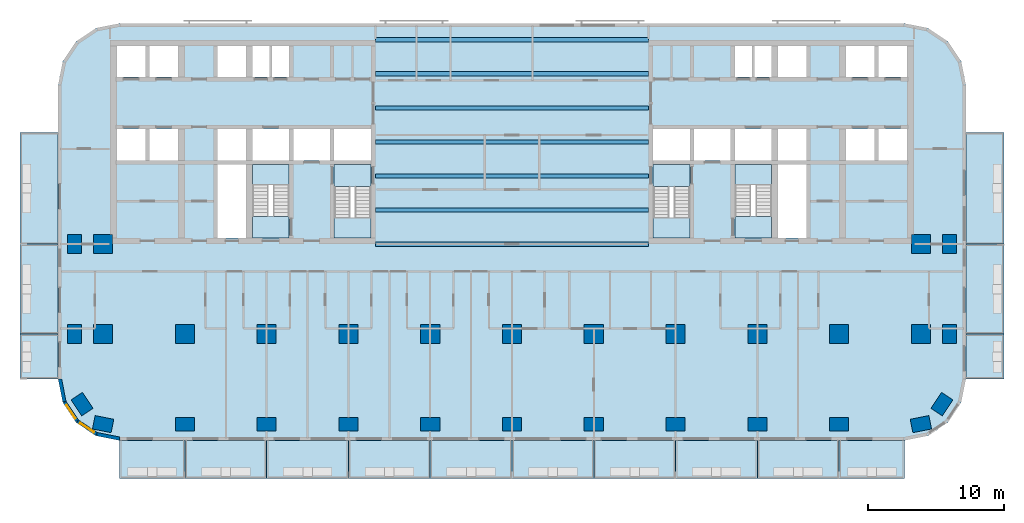
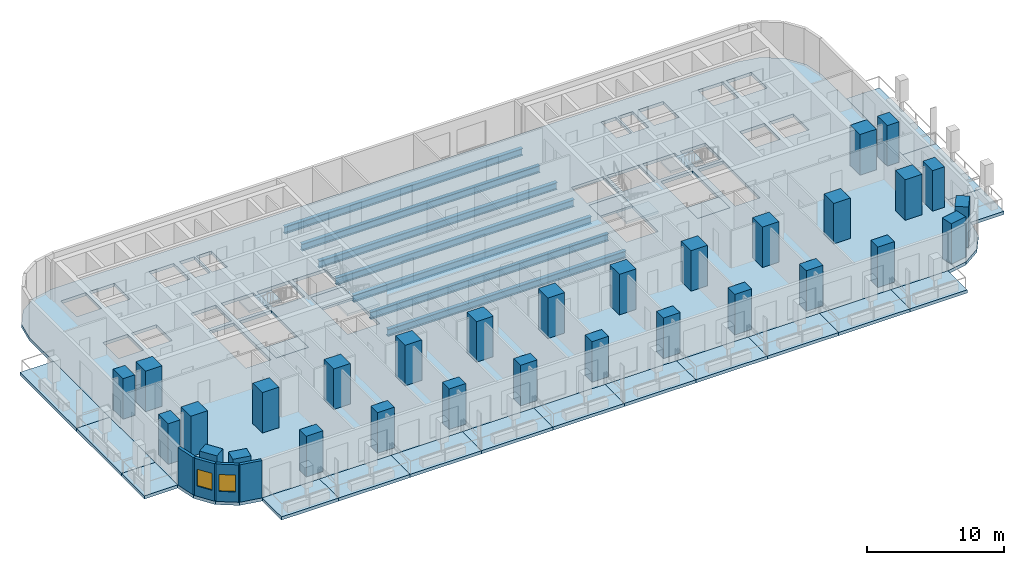
# One storey, part 1 of 14: 30 columns, 25 slabs, 7 beams, 4 walls, 2 windows, 2 openings, 4 elements without a shape of their own.
"""IFC4 building model written with IfcOpenShell, lengths in metres."""

from ifc_helpers import new_model, si_unit, direction, frame, frame_2d, origin, origin_2d, place, context, subcontext, project, spatial, polyline, rectangle, i_section, outline, extrude, material, layer, layer_set, material_profile, profile_set, type_object, element, fill, aggregate, save


model = new_model("IFC4")

# Units and contexts
model_context = context("Model", 3, precision=1e-05, world=origin(), true_north=direction((0.0, 1.0)))
body_context = subcontext(model_context, "Body", "Model", "MODEL_VIEW")
ifc_project = project(units=[si_unit("LENGTHUNIT", "METRE"), si_unit("AREAUNIT", "SQUARE_METRE"), si_unit("VOLUMEUNIT", "CUBIC_METRE"), si_unit("PLANEANGLEUNIT", "RADIAN"), si_unit("MASSUNIT", "GRAM", prefix="KILO")], contexts=[model_context])

# Site, building, storey
site_placement = place(None, origin())
site = spatial("IfcSite", under=ifc_project, at=site_placement, CompositionType="ELEMENT")
building_placement = place(site_placement, origin())
building = spatial("IfcBuilding", under=site, at=building_placement, Name="Torana Hotel and Residences", CompositionType="ELEMENT")
storey_placement = place(building_placement, frame((0.0, 0.0, 63.60009765625)))
storey = spatial("IfcBuildingStorey", under=building, at=storey_placement, Name="L15", CompositionType="ELEMENT", Elevation=63.60009765625)

# Columns
ifc_material_1 = material(Name="Concrete C70/85", Category="concrete")
ifc_material_profile_1 = material_profile(ifc_material_1, rectangle(XDim=1.39990234375, YDim=1.0, at=origin_2d()), Name="RC 1400x1000")
ifc_profile_set_1 = profile_set([ifc_material_profile_1], Name="Concrete C70/85")
column_type_1 = type_object("IfcColumnType", Name="COLUMN RC 1400x1000 C70/85", PredefinedType="COLUMN", material=ifc_profile_set_1)
for number, where, z_axis, x_axis, name in (
    (1, (-32.10009765625, -21.60009765625, 0.0), (0.0, 0.0, 1.0), (0.0, 1.0, 0.0), "Column L15"),
    (2, (-32.10009765625, -15.0, 0.0), (0.0, 0.0, 1.0), (0.0, 1.0, 0.0), "Column L15"),
    (3, (-31.5439453125, -26.73291015625, 0.0), (0.0, 0.0, 1.0), (-0.555584744817, 0.831459915646, 0.0), "Column L15"),
    (4, (-30.0, -28.199951171875, 0.0), (0.0, 0.0, 1.0), (-0.980792089743, 0.195056086032, 0.0), "Column L15"),
    (5, (-24.0, -28.199951171875, 0.0), (0.0, 0.0, 1.0), (1.0, 0.0, 0.0), "Column L15"),
    (6, (-18.0, -28.199951171875, 0.0), (0.0, 0.0, 1.0), (1.0, 0.0, 0.0), "Column L15"),
    (7, (-12.0, -28.199951171875, 0.0), (0.0, 0.0, 1.0), (1.0, 0.0, 0.0), "Column L15"),
    (8, (-6.0, -28.199951171875, 0.0), (0.0, 0.0, 1.0), (1.0, 0.0, 0.0), "Column L15"),
    (9, (0.0, -28.199951171875, 0.0), (0.0, 0.0, 1.0), (1.0, 0.0, 0.0), "Column L15"),
    (10, (6.0, -28.199951171875, 0.0), (0.0, 0.0, 1.0), (1.0, 0.0, 0.0), "Column L15"),
    (11, (12.0, -28.199951171875, 0.0), (0.0, 0.0, 1.0), (1.0, 0.0, 0.0), "Column L15"),
    (12, (18.0, -28.199951171875, 0.0), (0.0, 0.0, 1.0), (1.0, 0.0, 0.0), "Column L15"),
    (13, (24.0, -28.199951171875, 0.0), (0.0, 0.0, 1.0), (1.0, 0.0, 0.0), "Column L15"),
    (14, (30.0, -28.199951171875, 0.0), (0.0, 0.0, 1.0), (0.980792089743, 0.195056086032, 0.0), "Column L15"),
    (15, (31.5439453125, -26.73291015625, 0.0), (0.0, 0.0, 1.0), (0.555584744817, 0.831459915646, 0.0), "Column L15"),
    (16, (32.10009765625, -21.60009765625, 0.0), (0.0, 0.0, 1.0), (0.0, 1.0, 0.0), "Column L15"),
    (17, (32.10009765625, -15.0, 0.0), (0.0, 0.0, 1.0), (0.0, 1.0, 0.0), "Column L15"),
):
    element("IfcColumn", number, at=place(storey_placement, frame(where, z_axis=z_axis, x_axis=x_axis)), inside=storey, type_object=column_type_1, Name=name, PredefinedType="COLUMN", context=body_context, shape_type="SweptSolid", body=[
        extrude(rectangle(XDim=1.39990234375, YDim=1.0, at=origin_2d()), origin(), (0.0, 0.0, 1.0), 3.599853515625),
    ])
ifc_material_2 = material(Name="Concrete C70/85", Category="concrete")
ifc_material_profile_2 = material_profile(ifc_material_2, rectangle(XDim=1.39990234375, YDim=1.39990234375, at=origin_2d()), Name="RC 1400x1400")
ifc_profile_set_2 = profile_set([ifc_material_profile_2], Name="Concrete C70/85")
column_type_2 = type_object("IfcColumnType", Name="COLUMN RC 1400x1400 C70/85", PredefinedType="COLUMN", material=ifc_profile_set_2)
for number, where, z_axis, x_axis, name in (
    (18, (-30.0, -21.60009765625, 0.0), (0.0, 0.0, 1.0), (1.0, 0.0, 0.0), "Column L15"),
    (19, (-30.0, -15.0, 0.0), (0.0, 0.0, 1.0), (1.0, 0.0, 0.0), "Column L15"),
    (20, (-24.0, -21.60009765625, 0.0), (0.0, 0.0, 1.0), (1.0, 0.0, 0.0), "Column L15"),
    (21, (-18.0, -21.60009765625, 0.0), (0.0, 0.0, 1.0), (1.0, 0.0, 0.0), "Column L15"),
    (22, (-12.0, -21.60009765625, 0.0), (0.0, 0.0, 1.0), (1.0, 0.0, 0.0), "Column L15"),
    (23, (-6.0, -21.60009765625, 0.0), (0.0, 0.0, 1.0), (1.0, 0.0, 0.0), "Column L15"),
    (24, (0.0, -21.60009765625, 0.0), (0.0, 0.0, 1.0), (1.0, 0.0, 0.0), "Column L15"),
    (25, (6.0, -21.60009765625, 0.0), (0.0, 0.0, 1.0), (1.0, 0.0, 0.0), "Column L15"),
    (26, (12.0, -21.60009765625, 0.0), (0.0, 0.0, 1.0), (1.0, 0.0, 0.0), "Column L15"),
    (27, (18.0, -21.60009765625, 0.0), (0.0, 0.0, 1.0), (1.0, 0.0, 0.0), "Column L15"),
    (28, (24.0, -21.60009765625, 0.0), (0.0, 0.0, 1.0), (1.0, 0.0, 0.0), "Column L15"),
    (29, (30.0, -21.60009765625, 0.0), (0.0, 0.0, 1.0), (1.0, 0.0, 0.0), "Column L15"),
    (30, (30.0, -15.0, 0.0), (0.0, 0.0, 1.0), (1.0, 0.0, 0.0), "Column L15"),
):
    element("IfcColumn", number, at=place(storey_placement, frame(where, z_axis=z_axis, x_axis=x_axis)), inside=storey, type_object=column_type_2, Name=name, PredefinedType="COLUMN", context=body_context, shape_type="SweptSolid", body=[
        extrude(rectangle(XDim=1.39990234375, YDim=1.39990234375, at=origin_2d()), origin(), (0.0, 0.0, 1.0), 3.599853515625),
    ])

# Beams
ifc_material_3 = material(Name="Steel S355", Category="steel")
ifc_material_profile_3 = material_profile(ifc_material_3, i_section(OverallWidth=0.311279296875, OverallDepth=0.6357421875, WebThickness=0.018310546875, FlangeThickness=0.031494140625, FilletRadius=0.0166015625, at=origin_2d()), Name="610x305x238 UB")
ifc_profile_set_3 = profile_set([ifc_material_profile_3], Name="Steel S355")
beam_type = type_object("IfcBeamType", Name="STEEL GIRDER 610x305x238 UB", PredefinedType="BEAM", material=ifc_profile_set_3)
for number, where, z_axis, x_axis, name in (
    (31, (-10.0, -15.0, -0.597900390625), (1.0, 0.0, 0.0), (0.0, 1.0, 0.0), "Floor girder"),
    (32, (-10.0, -12.5, -0.597900390625), (1.0, 0.0, 0.0), (0.0, 1.0, 0.0), "Floor girder"),
    (33, (-10.0, -10.0, -0.597900390625), (1.0, 0.0, 0.0), (0.0, 1.0, 0.0), "Floor girder"),
    (34, (-10.0, -7.5, -0.597900390625), (1.0, 0.0, 0.0), (0.0, 1.0, 0.0), "Floor girder"),
    (35, (-10.0, -5.0, -0.597900390625), (1.0, 0.0, 0.0), (0.0, 1.0, 0.0), "Floor girder"),
    (36, (-10.0, -2.5, -0.597900390625), (1.0, 0.0, 0.0), (0.0, 1.0, 0.0), "Floor girder"),
    (37, (-10.0, 0.0, -0.597900390625), (1.0, 0.0, 0.0), (0.0, 1.0, 0.0), "Floor girder"),
):
    element("IfcBeam", number, at=place(storey_placement, frame(where, z_axis=z_axis, x_axis=x_axis)), inside=storey, type_object=beam_type, Name=name, PredefinedType="BEAM", context=body_context, shape_type="SweptSolid", body=[
        extrude(i_section(OverallWidth=0.311279296875, OverallDepth=0.6357421875, WebThickness=0.018310546875, FlangeThickness=0.031494140625, FilletRadius=0.0166015625, at=origin_2d()), origin(), (0.0, 0.0, 1.0), 20.0),
    ])

# Slabs
ifc_material_4 = material(Name="Concrete C40/50", Category="concrete")
ifc_layer_1 = layer(ifc_material_4, 0.280029296875)
ifc_layer_set_1 = layer_set([ifc_layer_1], Name="BAL1 BALCONY SLAB 280")
slab_type_1 = type_object("IfcSlabType", Name="BAL1 BALCONY SLAB 280", PredefinedType="USERDEFINED", material=ifc_layer_set_1)
slab_1_placement = place(storey_placement, frame((0.0, 0.0, -0.280029296875)))
element("IfcSlab", 38, at=slab_1_placement, inside=storey, type_object=slab_type_1, Name="Balcony 01", ObjectType="BALCONY", PredefinedType="USERDEFINED", context=body_context, shape_type="SweptSolid", body=[
    extrude(outline(polyline([(-28.800048828125, -32.199951171875), (-24.0, -32.199951171875), (-24.0, -29.39990234375), (-28.800048828125, -29.39990234375), (-28.800048828125, -32.199951171875)])), origin(), (0.0, 0.0, 1.0), 0.280029296875),
])
slab_2_placement = place(storey_placement, frame((0.0, 0.0, -0.280029296875)))
element("IfcSlab", 39, at=slab_2_placement, inside=storey, type_object=slab_type_1, Name="Balcony 02", ObjectType="BALCONY", PredefinedType="USERDEFINED", context=body_context, shape_type="SweptSolid", body=[
    extrude(outline(polyline([(-24.0, -32.199951171875), (-18.0, -32.199951171875), (-18.0, -29.39990234375), (-24.0, -29.39990234375), (-24.0, -32.199951171875)])), origin(), (0.0, 0.0, 1.0), 0.280029296875),
])
slab_3_placement = place(storey_placement, frame((0.0, 0.0, -0.280029296875)))
element("IfcSlab", 40, at=slab_3_placement, inside=storey, type_object=slab_type_1, Name="Balcony 03", ObjectType="BALCONY", PredefinedType="USERDEFINED", context=body_context, shape_type="SweptSolid", body=[
    extrude(outline(polyline([(-18.0, -32.199951171875), (-12.0, -32.199951171875), (-12.0, -29.39990234375), (-18.0, -29.39990234375), (-18.0, -32.199951171875)])), origin(), (0.0, 0.0, 1.0), 0.280029296875),
])
slab_4_placement = place(storey_placement, frame((0.0, 0.0, -0.280029296875)))
element("IfcSlab", 41, at=slab_4_placement, inside=storey, type_object=slab_type_1, Name="Balcony 04", ObjectType="BALCONY", PredefinedType="USERDEFINED", context=body_context, shape_type="SweptSolid", body=[
    extrude(outline(polyline([(-12.0, -32.199951171875), (-6.0, -32.199951171875), (-6.0, -29.39990234375), (-12.0, -29.39990234375), (-12.0, -32.199951171875)])), origin(), (0.0, 0.0, 1.0), 0.280029296875),
])
slab_5_placement = place(storey_placement, frame((0.0, 0.0, -0.280029296875)))
element("IfcSlab", 42, at=slab_5_placement, inside=storey, type_object=slab_type_1, Name="Balcony 05", ObjectType="BALCONY", PredefinedType="USERDEFINED", context=body_context, shape_type="SweptSolid", body=[
    extrude(outline(polyline([(-6.0, -32.199951171875), (0.0, -32.199951171875), (0.0, -29.39990234375), (-6.0, -29.39990234375), (-6.0, -32.199951171875)])), origin(), (0.0, 0.0, 1.0), 0.280029296875),
])
slab_6_placement = place(storey_placement, frame((0.0, 0.0, -0.280029296875)))
element("IfcSlab", 43, at=slab_6_placement, inside=storey, type_object=slab_type_1, Name="Balcony 06", ObjectType="BALCONY", PredefinedType="USERDEFINED", context=body_context, shape_type="SweptSolid", body=[
    extrude(outline(polyline([(0.0, -32.199951171875), (6.0, -32.199951171875), (6.0, -29.39990234375), (0.0, -29.39990234375), (0.0, -32.199951171875)])), origin(), (0.0, 0.0, 1.0), 0.280029296875),
])
slab_7_placement = place(storey_placement, frame((0.0, 0.0, -0.280029296875)))
element("IfcSlab", 44, at=slab_7_placement, inside=storey, type_object=slab_type_1, Name="Balcony 07", ObjectType="BALCONY", PredefinedType="USERDEFINED", context=body_context, shape_type="SweptSolid", body=[
    extrude(outline(polyline([(6.0, -32.199951171875), (12.0, -32.199951171875), (12.0, -29.39990234375), (6.0, -29.39990234375), (6.0, -32.199951171875)])), origin(), (0.0, 0.0, 1.0), 0.280029296875),
])
slab_8_placement = place(storey_placement, frame((0.0, 0.0, -0.280029296875)))
element("IfcSlab", 45, at=slab_8_placement, inside=storey, type_object=slab_type_1, Name="Balcony 08", ObjectType="BALCONY", PredefinedType="USERDEFINED", context=body_context, shape_type="SweptSolid", body=[
    extrude(outline(polyline([(12.0, -32.199951171875), (18.0, -32.199951171875), (18.0, -29.39990234375), (12.0, -29.39990234375), (12.0, -32.199951171875)])), origin(), (0.0, 0.0, 1.0), 0.280029296875),
])
slab_9_placement = place(storey_placement, frame((0.0, 0.0, -0.280029296875)))
element("IfcSlab", 46, at=slab_9_placement, inside=storey, type_object=slab_type_1, Name="Balcony 09", ObjectType="BALCONY", PredefinedType="USERDEFINED", context=body_context, shape_type="SweptSolid", body=[
    extrude(outline(polyline([(18.0, -32.199951171875), (24.0, -32.199951171875), (24.0, -29.39990234375), (18.0, -29.39990234375), (18.0, -32.199951171875)])), origin(), (0.0, 0.0, 1.0), 0.280029296875),
])
slab_10_placement = place(storey_placement, frame((0.0, 0.0, -0.280029296875)))
element("IfcSlab", 47, at=slab_10_placement, inside=storey, type_object=slab_type_1, Name="Balcony 10", ObjectType="BALCONY", PredefinedType="USERDEFINED", context=body_context, shape_type="SweptSolid", body=[
    extrude(outline(polyline([(24.0, -32.199951171875), (28.800048828125, -32.199951171875), (28.800048828125, -29.39990234375), (24.0, -29.39990234375), (24.0, -32.199951171875)])), origin(), (0.0, 0.0, 1.0), 0.280029296875),
])
slab_11_placement = place(storey_placement, frame((0.0, 0.0, -0.280029296875)))
element("IfcSlab", 48, at=slab_11_placement, inside=storey, type_object=slab_type_1, Name="Balcony 11", ObjectType="BALCONY", PredefinedType="USERDEFINED", context=body_context, shape_type="SweptSolid", body=[
    extrude(outline(polyline([(-36.10009765625, -24.89990234375), (-33.300048828125, -24.89990234375), (-33.300048828125, -21.60009765625), (-36.10009765625, -21.60009765625), (-36.10009765625, -24.89990234375)])), origin(), (0.0, 0.0, 1.0), 0.280029296875),
])
slab_12_placement = place(storey_placement, frame((0.0, 0.0, -0.280029296875)))
element("IfcSlab", 49, at=slab_12_placement, inside=storey, type_object=slab_type_1, Name="Balcony 12", ObjectType="BALCONY", PredefinedType="USERDEFINED", context=body_context, shape_type="SweptSolid", body=[
    extrude(outline(polyline([(-36.10009765625, -21.60009765625), (-33.300048828125, -21.60009765625), (-33.300048828125, -15.0), (-36.10009765625, -15.0), (-36.10009765625, -21.60009765625)])), origin(), (0.0, 0.0, 1.0), 0.280029296875),
])
slab_13_placement = place(storey_placement, frame((0.0, 0.0, -0.280029296875)))
element("IfcSlab", 50, at=slab_13_placement, inside=storey, type_object=slab_type_1, Name="Balcony 13", ObjectType="BALCONY", PredefinedType="USERDEFINED", context=body_context, shape_type="SweptSolid", body=[
    extrude(outline(polyline([(-36.10009765625, -15.0), (-33.300048828125, -15.0), (-33.300048828125, -6.800048828125), (-36.10009765625, -6.800048828125), (-36.10009765625, -15.0)])), origin(), (0.0, 0.0, 1.0), 0.280029296875),
])
slab_14_placement = place(storey_placement, frame((0.0, 0.0, -0.280029296875)))
element("IfcSlab", 51, at=slab_14_placement, inside=storey, type_object=slab_type_1, Name="Balcony 14", ObjectType="BALCONY", PredefinedType="USERDEFINED", context=body_context, shape_type="SweptSolid", body=[
    extrude(outline(polyline([(33.300048828125, -24.89990234375), (36.10009765625, -24.89990234375), (36.10009765625, -21.60009765625), (33.300048828125, -21.60009765625), (33.300048828125, -24.89990234375)])), origin(), (0.0, 0.0, 1.0), 0.280029296875),
])
slab_15_placement = place(storey_placement, frame((0.0, 0.0, -0.280029296875)))
element("IfcSlab", 52, at=slab_15_placement, inside=storey, type_object=slab_type_1, Name="Balcony 15", ObjectType="BALCONY", PredefinedType="USERDEFINED", context=body_context, shape_type="SweptSolid", body=[
    extrude(outline(polyline([(33.300048828125, -21.60009765625), (36.10009765625, -21.60009765625), (36.10009765625, -15.0), (33.300048828125, -15.0), (33.300048828125, -21.60009765625)])), origin(), (0.0, 0.0, 1.0), 0.280029296875),
])
slab_16_placement = place(storey_placement, frame((0.0, 0.0, -0.280029296875)))
element("IfcSlab", 53, at=slab_16_placement, inside=storey, type_object=slab_type_1, Name="Balcony 16", ObjectType="BALCONY", PredefinedType="USERDEFINED", context=body_context, shape_type="SweptSolid", body=[
    extrude(outline(polyline([(33.300048828125, -15.0), (36.10009765625, -15.0), (36.10009765625, -6.800048828125), (33.300048828125, -6.800048828125), (33.300048828125, -15.0)])), origin(), (0.0, 0.0, 1.0), 0.280029296875),
])
ifc_material_5 = material(Name="Concrete C40/50", Category="concrete")
ifc_layer_2 = layer(ifc_material_5, 0.280029296875)
ifc_layer_set_2 = layer_set([ifc_layer_2], Name="FLOOR SLAB PT 280")
slab_type_2 = type_object("IfcSlabType", Name="FLOOR SLAB PT 280", PredefinedType="FLOOR", material=ifc_layer_set_2)
slab_17_placement = place(storey_placement, frame((0.0, 0.0, -0.280029296875)))
element("IfcSlab", 54, at=slab_17_placement, inside=storey, type_object=slab_type_2, Name="Floor slab", PredefinedType="FLOOR", context=body_context, shape_type="SweptSolid", body=[
    extrude(outline(polyline([(33.300048828125, -3.300048828125), (32.95751953125, -1.577880859375), (31.98193359375, -0.117919921875), (30.522216796875, 0.857421875), (28.800048828125, 1.199951171875), (-28.800048828125, 1.199951171875), (-30.522216796875, 0.857421875), (-31.98193359375, -0.117919921875), (-32.95751953125, -1.577880859375), (-33.300048828125, -3.300048828125), (-33.300048828125, -24.89990234375), (-32.95751953125, -26.6220703125), (-31.98193359375, -28.08203125), (-30.522216796875, -29.0576171875), (-28.800048828125, -29.39990234375), (28.800048828125, -29.39990234375), (30.522216796875, -29.0576171875), (31.98193359375, -28.08203125), (32.95751953125, -26.6220703125), (33.300048828125, -24.89990234375), (33.300048828125, -3.300048828125)]), holes=[polyline([(-13.050048828125, -14.550048828125), (-10.35009765625, -14.550048828125), (-10.35009765625, -9.14990234375), (-13.050048828125, -9.14990234375), (-13.050048828125, -14.550048828125)]), polyline([(-19.050048828125, -14.550048828125), (-16.35009765625, -14.550048828125), (-16.35009765625, -9.14990234375), (-19.050048828125, -9.14990234375), (-19.050048828125, -14.550048828125)]), polyline([(-17.625, -2.75), (-16.35009765625, -2.75), (-16.35009765625, -0.449951171875), (-17.625, -0.449951171875), (-17.625, -2.75)]), polyline([(-19.050048828125, -2.75), (-17.77490234375, -2.75), (-17.77490234375, -0.449951171875), (-19.050048828125, -0.449951171875), (-19.050048828125, -2.75)]), polyline([(-26.60009765625, -2.75), (-24.5, -2.75), (-24.5, -0.449951171875), (-26.60009765625, -0.449951171875), (-26.60009765625, -2.75)]), polyline([(-29.0, -2.75), (-26.89990234375, -2.75), (-26.89990234375, -0.449951171875), (-29.0, -0.449951171875), (-29.0, -2.75)]), polyline([(-26.60009765625, -8.85009765625), (-24.5, -8.85009765625), (-24.5, -6.550048828125), (-26.60009765625, -6.550048828125), (-26.60009765625, -8.85009765625)]), polyline([(-29.0, -8.85009765625), (-26.89990234375, -8.85009765625), (-26.89990234375, -6.550048828125), (-29.0, -6.550048828125), (-29.0, -8.85009765625)]), polyline([(-21.60009765625, -2.75), (-19.5, -2.75), (-19.5, -0.449951171875), (-21.60009765625, -0.449951171875), (-21.60009765625, -2.75)]), polyline([(-21.60009765625, -8.85009765625), (-19.5, -8.85009765625), (-19.5, -6.550048828125), (-21.60009765625, -6.550048828125), (-21.60009765625, -8.85009765625)]), polyline([(-13.050048828125, -8.85009765625), (-10.35009765625, -8.85009765625), (-10.35009765625, -6.550048828125), (-13.050048828125, -6.550048828125), (-13.050048828125, -8.85009765625)]), polyline([(-16.050048828125, -8.85009765625), (-13.35009765625, -8.85009765625), (-13.35009765625, -6.550048828125), (-16.050048828125, -6.550048828125), (-16.050048828125, -8.85009765625)]), polyline([(-19.050048828125, -8.85009765625), (-16.35009765625, -8.85009765625), (-16.35009765625, -6.550048828125), (-19.050048828125, -6.550048828125), (-19.050048828125, -8.85009765625)]), polyline([(-21.60009765625, -14.550048828125), (-19.5, -14.550048828125), (-19.5, -9.14990234375), (-21.60009765625, -9.14990234375), (-21.60009765625, -14.550048828125)]), polyline([(10.35009765625, -14.550048828125), (13.050048828125, -14.550048828125), (13.050048828125, -9.14990234375), (10.35009765625, -9.14990234375), (10.35009765625, -14.550048828125)]), polyline([(16.35009765625, -14.550048828125), (19.050048828125, -14.550048828125), (19.050048828125, -9.14990234375), (16.35009765625, -9.14990234375), (16.35009765625, -14.550048828125)]), polyline([(16.35009765625, -2.75), (17.625, -2.75), (17.625, -0.449951171875), (16.35009765625, -0.449951171875), (16.35009765625, -2.75)]), polyline([(17.77490234375, -2.75), (19.050048828125, -2.75), (19.050048828125, -0.449951171875), (17.77490234375, -0.449951171875), (17.77490234375, -2.75)]), polyline([(24.5, -2.75), (26.60009765625, -2.75), (26.60009765625, -0.449951171875), (24.5, -0.449951171875), (24.5, -2.75)]), polyline([(26.89990234375, -2.75), (29.0, -2.75), (29.0, -0.449951171875), (26.89990234375, -0.449951171875), (26.89990234375, -2.75)]), polyline([(24.5, -8.85009765625), (26.60009765625, -8.85009765625), (26.60009765625, -6.550048828125), (24.5, -6.550048828125), (24.5, -8.85009765625)]), polyline([(26.89990234375, -8.85009765625), (29.0, -8.85009765625), (29.0, -6.550048828125), (26.89990234375, -6.550048828125), (26.89990234375, -8.85009765625)]), polyline([(19.5, -2.75), (21.60009765625, -2.75), (21.60009765625, -0.449951171875), (19.5, -0.449951171875), (19.5, -2.75)]), polyline([(19.5, -8.85009765625), (21.60009765625, -8.85009765625), (21.60009765625, -6.550048828125), (19.5, -6.550048828125), (19.5, -8.85009765625)]), polyline([(10.35009765625, -8.85009765625), (13.050048828125, -8.85009765625), (13.050048828125, -6.550048828125), (10.35009765625, -6.550048828125), (10.35009765625, -8.85009765625)]), polyline([(13.35009765625, -8.85009765625), (16.050048828125, -8.85009765625), (16.050048828125, -6.550048828125), (13.35009765625, -6.550048828125), (13.35009765625, -8.85009765625)]), polyline([(16.35009765625, -8.85009765625), (19.050048828125, -8.85009765625), (19.050048828125, -6.550048828125), (16.35009765625, -6.550048828125), (16.35009765625, -8.85009765625)]), polyline([(19.5, -14.550048828125), (21.60009765625, -14.550048828125), (21.60009765625, -9.14990234375), (19.5, -9.14990234375), (19.5, -14.550048828125)])]), origin(), (0.0, 0.0, 1.0), 0.280029296875),
])

# Stair, slabs
ifc_material_6 = material(Name="Concrete C40/50 precast", Category="concrete")
stair_type_1 = type_object("IfcStairType", Name="STAIR ST1 HALF TURN 1200", PredefinedType="HALF_TURN_STAIR", material=ifc_material_6)
stair_1_placement = place(storey_placement, origin())
stair_1 = element("IfcStair", 55, at=stair_1_placement, inside=storey, type_object=stair_type_1, Name="Stair ST1 L15", PredefinedType="HALF_TURN_STAIR")
ifc_material_7 = material(Name="Concrete C40/50 precast", Category="concrete")
ifc_layer_3 = layer(ifc_material_7, 0.199951171875)
ifc_layer_set_3 = layer_set([ifc_layer_3], Name="STAIR LANDING 200")
slab_type_3 = type_object("IfcSlabType", Name="STAIR LANDING 200", PredefinedType="LANDING", material=ifc_layer_set_3)
slab_18_placement = place(storey_placement, frame((0.0, 0.0, 1.599853515625)))
slab_18 = element("IfcSlab", 56, at=slab_18_placement, type_object=slab_type_3, Name="ST1 landing 1", PredefinedType="LANDING", context=body_context, shape_type="SweptSolid", body=[
    extrude(outline(polyline([(-13.050048828125, -14.550048828125), (-10.35009765625, -14.550048828125), (-10.35009765625, -13.090087890625), (-13.050048828125, -13.090087890625), (-13.050048828125, -14.550048828125)])), origin(), (0.0, 0.0, 1.0), 0.199951171875),
])
slab_19_placement = place(storey_placement, frame((0.0, 0.0, -0.2001953125)))
slab_19 = element("IfcSlab", 57, at=slab_19_placement, type_object=slab_type_3, Name="ST1 landing 2", PredefinedType="LANDING", context=body_context, shape_type="SweptSolid", body=[
    extrude(outline(polyline([(-13.050048828125, -10.75), (-10.35009765625, -10.75), (-10.35009765625, -9.14990234375), (-13.050048828125, -9.14990234375), (-13.050048828125, -10.75)])), origin(), (0.0, 0.0, 1.0), 0.2001953125),
])
aggregate(stair_1, [slab_18, slab_19])

ifc_material_8 = material(Name="Concrete C40/50 precast", Category="concrete")
stair_type_2 = type_object("IfcStairType", Name="STAIR ST2 HALF TURN 1200", PredefinedType="HALF_TURN_STAIR", material=ifc_material_8)
stair_2_placement = place(storey_placement, origin())
stair_2 = element("IfcStair", 58, at=stair_2_placement, inside=storey, type_object=stair_type_2, Name="Stair ST2 L15", PredefinedType="HALF_TURN_STAIR")
slab_20_placement = place(storey_placement, frame((0.0, 0.0, 1.599853515625)))
slab_20 = element("IfcSlab", 59, at=slab_20_placement, type_object=slab_type_3, Name="ST2 landing 1", PredefinedType="LANDING", context=body_context, shape_type="SweptSolid", body=[
    extrude(outline(polyline([(-19.050048828125, -10.610107421875), (-16.35009765625, -10.610107421875), (-16.35009765625, -9.14990234375), (-19.050048828125, -9.14990234375), (-19.050048828125, -10.610107421875)])), origin(), (0.0, 0.0, 1.0), 0.199951171875),
])
slab_21_placement = place(storey_placement, frame((0.0, 0.0, -0.2001953125)))
slab_21 = element("IfcSlab", 60, at=slab_21_placement, type_object=slab_type_3, Name="ST2 landing 2", PredefinedType="LANDING", context=body_context, shape_type="SweptSolid", body=[
    extrude(outline(polyline([(-19.050048828125, -14.550048828125), (-16.35009765625, -14.550048828125), (-16.35009765625, -12.949951171875), (-19.050048828125, -12.949951171875), (-19.050048828125, -14.550048828125)])), origin(), (0.0, 0.0, 1.0), 0.2001953125),
])
aggregate(stair_2, [slab_20, slab_21])

ifc_material_9 = material(Name="Concrete C40/50 precast", Category="concrete")
stair_type_3 = type_object("IfcStairType", Name="STAIR ST3 HALF TURN 1200", PredefinedType="HALF_TURN_STAIR", material=ifc_material_9)
stair_3_placement = place(storey_placement, origin())
stair_3 = element("IfcStair", 61, at=stair_3_placement, inside=storey, type_object=stair_type_3, Name="Stair ST3 L15", PredefinedType="HALF_TURN_STAIR")
slab_22_placement = place(storey_placement, frame((0.0, 0.0, 1.599853515625)))
slab_22 = element("IfcSlab", 62, at=slab_22_placement, type_object=slab_type_3, Name="ST3 landing 1", PredefinedType="LANDING", context=body_context, shape_type="SweptSolid", body=[
    extrude(outline(polyline([(10.35009765625, -14.550048828125), (13.050048828125, -14.550048828125), (13.050048828125, -13.090087890625), (10.35009765625, -13.090087890625), (10.35009765625, -14.550048828125)])), origin(), (0.0, 0.0, 1.0), 0.199951171875),
])
slab_23_placement = place(storey_placement, frame((0.0, 0.0, -0.2001953125)))
slab_23 = element("IfcSlab", 63, at=slab_23_placement, type_object=slab_type_3, Name="ST3 landing 2", PredefinedType="LANDING", context=body_context, shape_type="SweptSolid", body=[
    extrude(outline(polyline([(10.35009765625, -10.75), (13.050048828125, -10.75), (13.050048828125, -9.14990234375), (10.35009765625, -9.14990234375), (10.35009765625, -10.75)])), origin(), (0.0, 0.0, 1.0), 0.2001953125),
])
aggregate(stair_3, [slab_22, slab_23])

ifc_material_10 = material(Name="Concrete C40/50 precast", Category="concrete")
stair_type_4 = type_object("IfcStairType", Name="STAIR ST4 HALF TURN 1200", PredefinedType="HALF_TURN_STAIR", material=ifc_material_10)
stair_4_placement = place(storey_placement, origin())
stair_4 = element("IfcStair", 64, at=stair_4_placement, inside=storey, type_object=stair_type_4, Name="Stair ST4 L15", PredefinedType="HALF_TURN_STAIR")
slab_24_placement = place(storey_placement, frame((0.0, 0.0, 1.599853515625)))
slab_24 = element("IfcSlab", 65, at=slab_24_placement, type_object=slab_type_3, Name="ST4 landing 1", PredefinedType="LANDING", context=body_context, shape_type="SweptSolid", body=[
    extrude(outline(polyline([(16.35009765625, -10.610107421875), (19.050048828125, -10.610107421875), (19.050048828125, -9.14990234375), (16.35009765625, -9.14990234375), (16.35009765625, -10.610107421875)])), origin(), (0.0, 0.0, 1.0), 0.199951171875),
])
slab_25_placement = place(storey_placement, frame((0.0, 0.0, -0.2001953125)))
slab_25 = element("IfcSlab", 66, at=slab_25_placement, type_object=slab_type_3, Name="ST4 landing 2", PredefinedType="LANDING", context=body_context, shape_type="SweptSolid", body=[
    extrude(outline(polyline([(16.35009765625, -14.550048828125), (19.050048828125, -14.550048828125), (19.050048828125, -12.949951171875), (16.35009765625, -12.949951171875), (16.35009765625, -14.550048828125)])), origin(), (0.0, 0.0, 1.0), 0.2001953125),
])
aggregate(stair_4, [slab_24, slab_25])

# Wall
ifc_material_11 = material(Name="Black aluminium composite panel", Category="aluminium")
ifc_layer_4 = layer(ifc_material_11, 0.00390625, Name="Cladding", Category="cladding")
ifc_material_12 = material(Name="Ventilated air cavity")
ifc_layer_5 = layer(ifc_material_12, 0.0400390625, Name="Ventilated cavity", Category="cavity")
ifc_material_13 = material(Name="Mineral wool insulation")
ifc_layer_6 = layer(ifc_material_13, 0.090087890625, Name="Insulation", Category="insulation")
ifc_material_14 = material(Name="Steel S280GD", Category="steel")
ifc_layer_7 = layer(ifc_material_14, 0.092041015625, Name="Steel stud frame", Category="structure")
ifc_material_15 = material(Name="Fire rated plasterboard")
ifc_layer_8 = layer(ifc_material_15, 0.011962890625, Name="Inner board", Category="finish")
ifc_layer_9 = layer(ifc_material_15, 0.011962890625, Name="Second board", Category="finish")
ifc_layer_set_4 = layer_set([ifc_layer_4, ifc_layer_5, ifc_layer_6, ifc_layer_7, ifc_layer_8, ifc_layer_9], Name="EW1 EXTERNAL WALL BLACK METAL CLAD 250")
wall_type = type_object("IfcWallType", Name="EW1 EXTERNAL WALL BLACK METAL CLAD 250", PredefinedType="SOLIDWALL", material=ifc_layer_set_4)
wall_1_placement = place(storey_placement, frame((-33.172607421875, -24.89990234375, 0.0), z_axis=(0.0, 0.0, 1.0), x_axis=(0.195166572128, -0.980770110232, 0.0)))
element("IfcWall", 67, at=wall_1_placement, inside=storey, type_object=wall_type, Name="External wall L15 e0.10", PredefinedType="SOLIDWALL", context=body_context, shape_type="SweptSolid", body=[
    extrude(rectangle(XDim=1.68115234375, YDim=0.25, at=frame_2d((0.840576171875, 0.0))), origin(), (0.0, 0.0, 1.0), 3.31982421875),
])

# Wall, opening, window
wall_2_placement = place(storey_placement, frame((-32.825927734375, -26.593994140625, 0.0), z_axis=(0.0, 0.0, 1.0), x_axis=(0.55555029066, -0.831482937015, 0.0)))
wall_2 = element("IfcWall", 68, at=wall_2_placement, inside=storey, type_object=wall_type, Name="External wall L15 e0.11", PredefinedType="SOLIDWALL", context=body_context, shape_type="SweptSolid", body=[
    extrude(rectangle(XDim=1.65625, YDim=0.25, at=frame_2d((0.828125, 0.0))), origin(), (0.0, 0.0, 1.0), 3.31982421875),
])
opening_1_placement = place(wall_2_placement, frame((0.228271484375, 0.0, 0.89990234375)))
opening_1 = element("IfcOpeningElement", 69, at=opening_1_placement, cuts=wall_2, Name="Opening W5", PredefinedType="OPENING", context=body_context, shape_type="SweptSolid", body=[
    extrude(rectangle(XDim=1.199951171875, YDim=1.5, at=frame_2d((0.60009765625, 0.75))), frame((0.0, 0.135009765625, 0.0), z_axis=(0.0, -1.0, 0.0), x_axis=(1.0, 0.0, 0.0)), (0.0, 0.0, 1.0), 0.27001953125),
])
ifc_material_16 = material(Name="Dark glass in black aluminium frame", Category="aluminium")
window_type = type_object("IfcWindowType", Name="W5 CORNER FACET WINDOW 1200x1500", PartitioningType="SINGLE_PANEL", PredefinedType="WINDOW", material=ifc_material_16)
window_1_placement = place(opening_1_placement, origin())
window_1 = element("IfcWindow", 70, at=window_1_placement, inside=storey, type_object=window_type, Name="Window L15 e0.11", OverallHeight=1.5, OverallWidth=1.199951171875, PartitioningType="SINGLE_PANEL", PredefinedType="WINDOW", context=body_context, shape_type="SweptSolid", body=[
    extrude(rectangle(XDim=1.199951171875, YDim=1.5, at=frame_2d((0.60009765625, 0.75))), frame((0.0, 0.030029296875, 0.0), z_axis=(0.0, -1.0, 0.0), x_axis=(1.0, 0.0, 0.0)), (0.0, 0.0, 1.0), 0.06005859375),
])
fill(opening_1, window_1)

wall_3_placement = place(storey_placement, frame((-31.87109375, -28.005615234375, 0.0), z_axis=(0.0, 0.0, 1.0), x_axis=(0.831482937015, -0.55555029066, 0.0)))
wall_3 = element("IfcWall", 71, at=wall_3_placement, inside=storey, type_object=wall_type, Name="External wall L15 e0.12", PredefinedType="SOLIDWALL", context=body_context, shape_type="SweptSolid", body=[
    extrude(rectangle(XDim=1.65625, YDim=0.25, at=frame_2d((0.828125, 0.0))), origin(), (0.0, 0.0, 1.0), 3.31982421875),
])
opening_2_placement = place(wall_3_placement, frame((0.228271484375, 0.0, 0.89990234375)))
opening_2 = element("IfcOpeningElement", 72, at=opening_2_placement, cuts=wall_3, Name="Opening W5", PredefinedType="OPENING", context=body_context, shape_type="SweptSolid", body=[
    extrude(rectangle(XDim=1.199951171875, YDim=1.5, at=frame_2d((0.60009765625, 0.75))), frame((0.0, 0.135009765625, 0.0), z_axis=(0.0, -1.0, 0.0), x_axis=(1.0, 0.0, 0.0)), (0.0, 0.0, 1.0), 0.27001953125),
])
window_2_placement = place(opening_2_placement, origin())
window_2 = element("IfcWindow", 73, at=window_2_placement, inside=storey, type_object=window_type, Name="Window L15 e0.12", OverallHeight=1.5, OverallWidth=1.199951171875, PartitioningType="SINGLE_PANEL", PredefinedType="WINDOW", context=body_context, shape_type="SweptSolid", body=[
    extrude(rectangle(XDim=1.199951171875, YDim=1.5, at=frame_2d((0.60009765625, 0.75))), frame((0.0, 0.030029296875, 0.0), z_axis=(0.0, -1.0, 0.0), x_axis=(1.0, 0.0, 0.0)), (0.0, 0.0, 1.0), 0.06005859375),
])
fill(opening_2, window_2)

# Wall
wall_4_placement = place(storey_placement, frame((-30.448974609375, -28.944580078125, 0.0), z_axis=(0.0, 0.0, 1.0), x_axis=(0.980775640221, -0.19513878023, 0.0)))
element("IfcWall", 74, at=wall_4_placement, inside=storey, type_object=wall_type, Name="External wall L15 e0.13", PredefinedType="SOLIDWALL", context=body_context, shape_type="SweptSolid", body=[
    extrude(rectangle(XDim=1.681396484375, YDim=0.25, at=frame_2d((0.8408203125, 0.0))), origin(), (0.0, 0.0, 1.0), 3.31982421875),
])

save(model, "model.ifc")
